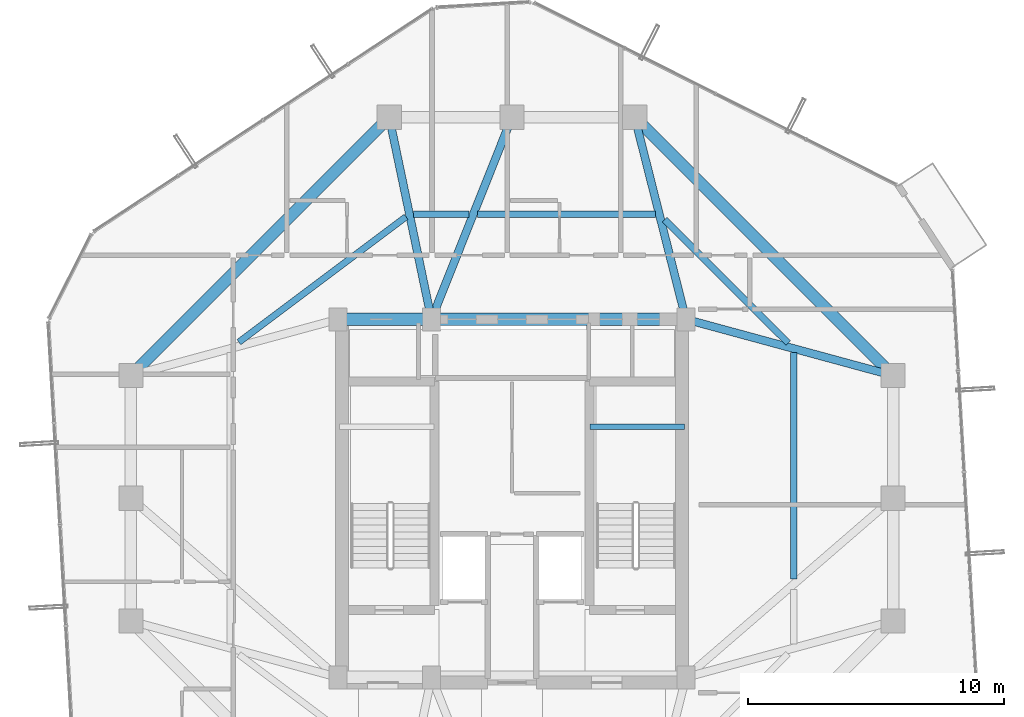
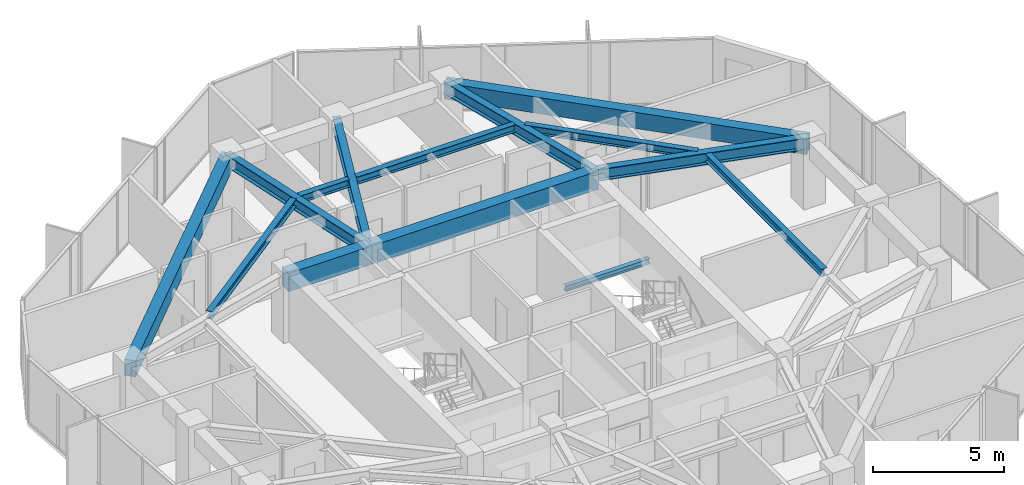
# One storey, part 17 of 33: 14 beams.
"""IFC4 building model written with IfcOpenShell, lengths in metres."""

from ifc_helpers import new_model, si_unit, direction, frame, origin, origin_2d, place, context, subcontext, project, spatial, rectangle, i_section, extrude, material, material_profile, profile_set, type_object, element, save


model = new_model("IFC4")

# Units and contexts
model_context = context("Model", 3, precision=1e-05, world=origin(), true_north=direction((0.0, 1.0)))
body_context = subcontext(model_context, "Body", "Model", "MODEL_VIEW")
ifc_project = project(units=[si_unit("LENGTHUNIT", "METRE"), si_unit("AREAUNIT", "SQUARE_METRE"), si_unit("VOLUMEUNIT", "CUBIC_METRE"), si_unit("PLANEANGLEUNIT", "RADIAN"), si_unit("MASSUNIT", "GRAM", prefix="KILO")], contexts=[model_context])

# Site, building, storey
site_placement = place(None, origin())
site = spatial("IfcSite", under=ifc_project, at=site_placement, CompositionType="ELEMENT")
building_placement = place(site_placement, origin())
building = spatial("IfcBuilding", under=site, at=building_placement, Name="Veraguas Prism Commons", CompositionType="ELEMENT")
storey_placement = place(building_placement, frame((0.0, 0.0, 195.10009765625)))
storey = spatial("IfcBuildingStorey", under=building, at=storey_placement, Name="L55", CompositionType="ELEMENT", Elevation=195.10009765625)

# Beams
ifc_material_1 = material(Name="Concrete C50/60", Category="concrete")
ifc_material_profile_1 = material_profile(ifc_material_1, rectangle(XDim=0.5, YDim=0.85009765625, at=origin_2d()), Name="RC500X850")
ifc_profile_set_1 = profile_set([ifc_material_profile_1], Name="Concrete C50/60")
beam_type_1 = type_object("IfcBeamType", Name="Core Coupling Beam RC 500x850", PredefinedType="BEAM", material=ifc_profile_set_1)
beam_1_placement = place(storey_placement, frame((17.199951171875, 31.0, 2.58984375), z_axis=(1.0, 0.0, 0.0), x_axis=(0.0, 1.0, 0.0)))
element("IfcBeam", 1, at=beam_1_placement, inside=storey, type_object=beam_type_1, Name="Core Coupling Beam L55-CRN1", PredefinedType="BEAM", context=body_context, shape_type="SweptSolid", body=[
    extrude(rectangle(XDim=0.5, YDim=0.85009765625, at=origin_2d()), origin(), (0.0, 0.0, 1.0), 3.650146484375),
])
beam_2_placement = place(storey_placement, frame((20.85009765625, 31.0, 2.58984375), z_axis=(1.0, 0.0, 0.0), x_axis=(0.0, 1.0, 0.0)))
element("IfcBeam", 2, at=beam_2_placement, inside=storey, type_object=beam_type_1, Name="Core Coupling Beam L55-CRN2", PredefinedType="BEAM", context=body_context, shape_type="SweptSolid", body=[
    extrude(rectangle(XDim=0.5, YDim=0.85009765625, at=origin_2d()), origin(), (0.0, 0.0, 1.0), 9.949951171875),
])
ifc_material_profile_2 = material_profile(ifc_material_1, rectangle(XDim=0.449951171875, YDim=0.75, at=origin_2d()), Name="RC450X750")
ifc_profile_set_2 = profile_set([ifc_material_profile_2], Name="Concrete C50/60")
beam_type_2 = type_object("IfcBeamType", Name="Perimeter Spandrel Upper RC 450x750", PredefinedType="SPANDREL", material=ifc_profile_set_2)
for number, where, z_axis, x_axis, name in (
    (3, (38.89990234375, 28.800048828125, 2.639892578125), (-0.707106781187, 0.707106781187, 0.0), (-0.707106781187, -0.707106781187, 0.0), "Perimeter Spandrel Beam L55-SP03"),
    (4, (19.199951171875, 38.89990234375, 2.639892578125), (-0.707106781187, -0.707106781187, 0.0), (0.707106781187, -0.707106781187, 0.0), "Perimeter Spandrel Beam L55-SP06"),
):
    element("IfcBeam", number, at=place(storey_placement, frame(where, z_axis=z_axis, x_axis=x_axis)), inside=storey, type_object=beam_type_2, Name=name, PredefinedType="SPANDREL", context=body_context, shape_type="SweptSolid", body=[
        extrude(rectangle(XDim=0.449951171875, YDim=0.75, at=origin_2d()), origin(), (0.0, 0.0, 1.0), 14.283447265625),
    ])
ifc_material_2 = material(Name="Steel ASTM A992 Grade 50", Category="steel")
ifc_material_profile_3 = material_profile(ifc_material_2, i_section(OverallWidth=0.202880859375, OverallDepth=0.251953125, WebThickness=0.008056640625, FlangeThickness=0.013427734375, at=origin_2d()), Name="W250X58")
ifc_profile_set_3 = profile_set([ifc_material_profile_3], Name="Steel ASTM A992 Grade 50")
beam_type_3 = type_object("IfcBeamType", Name="Structural Opening Lintel W250x58", PredefinedType="LINTEL", material=ifc_profile_set_3)
beam_3_placement = place(storey_placement, frame((27.050048828125, 26.800048828125, 1.298828125), z_axis=(1.0, 0.0, 0.0), x_axis=(0.0, 1.0, 0.0)))
element("IfcBeam", 5, at=beam_3_placement, inside=storey, type_object=beam_type_3, Name="Stair ST-02 Half-Landing Support Beam L55-1", PredefinedType="LINTEL", context=body_context, shape_type="SweptSolid", body=[
    extrude(i_section(OverallWidth=0.202880859375, OverallDepth=0.251953125, WebThickness=0.008056640625, FlangeThickness=0.013427734375, at=origin_2d()), origin(), (0.0, 0.0, 1.0), 3.699951171875),
])
ifc_material_profile_4 = material_profile(ifc_material_2, i_section(OverallWidth=0.25390625, OverallDepth=0.35302734375, WebThickness=0.009521484375, FlangeThickness=0.016357421875, at=origin_2d()), Name="W360X91")
ifc_profile_set_4 = profile_set([ifc_material_profile_4], Name="Steel ASTM A992 Grade 50")
beam_type_4 = type_object("IfcBeamType", Name="Upper Floor Joist W360x91", PredefinedType="JOIST", material=ifc_profile_set_4)
beam_4_placement = place(storey_placement, frame((35.011962890625, 20.843017578125, 2.83837890625), z_axis=(0.0, 1.0, 0.0), x_axis=(-1.0, 0.0, 0.0)))
element("IfcBeam", 6, at=beam_4_placement, inside=storey, type_object=beam_type_4, Name="Composite Floor Joist L55-JS02", PredefinedType="JOIST", context=body_context, shape_type="SweptSolid", body=[
    extrude(i_section(OverallWidth=0.25390625, OverallDepth=0.35302734375, WebThickness=0.009521484375, FlangeThickness=0.016357421875, at=origin_2d()), origin(), (0.0, 0.0, 1.0), 8.85400390625),
])
beam_5_placement = place(storey_placement, frame((34.793701171875, 30.074462890625, 2.83837890625), z_axis=(-0.707124682851, 0.707088879069, 0.0), x_axis=(-0.707088879069, -0.707124682851, 0.0)))
element("IfcBeam", 7, at=beam_5_placement, inside=storey, type_object=beam_type_4, Name="Composite Floor Joist L55-JS03", PredefinedType="JOIST", context=body_context, shape_type="SweptSolid", body=[
    extrude(i_section(OverallWidth=0.25390625, OverallDepth=0.35302734375, WebThickness=0.009521484375, FlangeThickness=0.016357421875, at=origin_2d()), origin(), (0.0, 0.0, 1.0), 6.81884765625),
])
beam_6_placement = place(storey_placement, frame((29.601806640625, 35.10791015625, 2.83837890625), z_axis=(-1.0, 0.0, 0.0), x_axis=(0.0, -1.0, 0.0)))
element("IfcBeam", 8, at=beam_6_placement, inside=storey, type_object=beam_type_4, Name="Composite Floor Joist L55-JS04", PredefinedType="JOIST", context=body_context, shape_type="SweptSolid", body=[
    extrude(i_section(OverallWidth=0.25390625, OverallDepth=0.35302734375, WebThickness=0.009521484375, FlangeThickness=0.016357421875, at=origin_2d()), origin(), (0.0, 0.0, 1.0), 6.948486328125),
])
beam_7_placement = place(storey_placement, frame((22.32275390625, 35.10791015625, 2.83837890625), z_axis=(-1.0, 0.0, 0.0), x_axis=(0.0, -1.0, 0.0)))
element("IfcBeam", 9, at=beam_7_placement, inside=storey, type_object=beam_type_4, Name="Composite Floor Joist L55-JS05", PredefinedType="JOIST", context=body_context, shape_type="SweptSolid", body=[
    extrude(i_section(OverallWidth=0.25390625, OverallDepth=0.35302734375, WebThickness=0.009521484375, FlangeThickness=0.016357421875, at=origin_2d()), origin(), (0.0, 0.0, 1.0), 2.174072265625),
])
beam_8_placement = place(storey_placement, frame((19.8564453125, 35.00634765625, 2.83837890625), z_axis=(-0.800060962004, -0.599918708724, 0.0), x_axis=(0.599918708724, -0.800060962004, 0.0)))
element("IfcBeam", 10, at=beam_8_placement, inside=storey, type_object=beam_type_4, Name="Composite Floor Joist L55-JS06", PredefinedType="JOIST", context=body_context, shape_type="SweptSolid", body=[
    extrude(i_section(OverallWidth=0.25390625, OverallDepth=0.35302734375, WebThickness=0.009521484375, FlangeThickness=0.016357421875, at=origin_2d()), origin(), (0.0, 0.0, 1.0), 8.169189453125),
])
ifc_material_profile_5 = material_profile(ifc_material_2, i_section(OverallWidth=0.31103515625, OverallDepth=0.5458984375, WebThickness=0.0146484375, FlangeThickness=0.023681640625, at=origin_2d()), Name="W530X165")
ifc_profile_set_5 = profile_set([ifc_material_profile_5], Name="Steel ASTM A992 Grade 50")
beam_type_5 = type_object("IfcBeamType", Name="Zone 3 Radial Girder W530x165", PredefinedType="BEAM", material=ifc_profile_set_5)
beam_9_placement = place(storey_placement, frame((38.89990234375, 28.800048828125, 2.741943359375), z_axis=(-0.965038506703, 0.262108146725, 0.0), x_axis=(-0.262108146725, -0.965038506703, 0.0)))
element("IfcBeam", 11, at=beam_9_placement, inside=storey, type_object=beam_type_5, Name="Radial Floor Girder L55-RD03", PredefinedType="BEAM", context=body_context, shape_type="SweptSolid", body=[
    extrude(i_section(OverallWidth=0.31103515625, OverallDepth=0.5458984375, WebThickness=0.0146484375, FlangeThickness=0.023681640625, at=origin_2d()), origin(), (0.0, 0.0, 1.0), 8.393310546875),
])
beam_10_placement = place(storey_placement, frame((28.800048828125, 38.89990234375, 2.741943359375), z_axis=(0.245424718066, -0.969415652732, 0.0), x_axis=(0.969415652732, 0.245424718066, 0.0)))
element("IfcBeam", 12, at=beam_10_placement, inside=storey, type_object=beam_type_5, Name="Radial Floor Girder L55-RD04", PredefinedType="BEAM", context=body_context, shape_type="SweptSolid", body=[
    extrude(i_section(OverallWidth=0.31103515625, OverallDepth=0.5458984375, WebThickness=0.0146484375, FlangeThickness=0.023681640625, at=origin_2d()), origin(), (0.0, 0.0, 1.0), 8.149169921875),
])
beam_11_placement = place(storey_placement, frame((24.0, 38.89990234375, 2.741943359375), z_axis=(-0.370370877803, -0.928883960931, 0.0), x_axis=(0.928883960931, -0.370370877803, 0.0)))
element("IfcBeam", 13, at=beam_11_placement, inside=storey, type_object=beam_type_5, Name="Radial Floor Girder L55-RD05", PredefinedType="BEAM", context=body_context, shape_type="SweptSolid", body=[
    extrude(i_section(OverallWidth=0.31103515625, OverallDepth=0.5458984375, WebThickness=0.0146484375, FlangeThickness=0.023681640625, at=origin_2d()), origin(), (0.0, 0.0, 1.0), 8.504638671875),
])
beam_12_placement = place(storey_placement, frame((19.199951171875, 38.89990234375, 2.741943359375), z_axis=(0.204468851168, -0.978873070884, 0.0), x_axis=(0.978873070884, 0.204468851168, 0.0)))
element("IfcBeam", 14, at=beam_12_placement, inside=storey, type_object=beam_type_5, Name="Radial Floor Girder L55-RD06", PredefinedType="BEAM", context=body_context, shape_type="SweptSolid", body=[
    extrude(i_section(OverallWidth=0.31103515625, OverallDepth=0.5458984375, WebThickness=0.0146484375, FlangeThickness=0.023681640625, at=origin_2d()), origin(), (0.0, 0.0, 1.0), 8.0703125),
])

save(model, "model.ifc")
